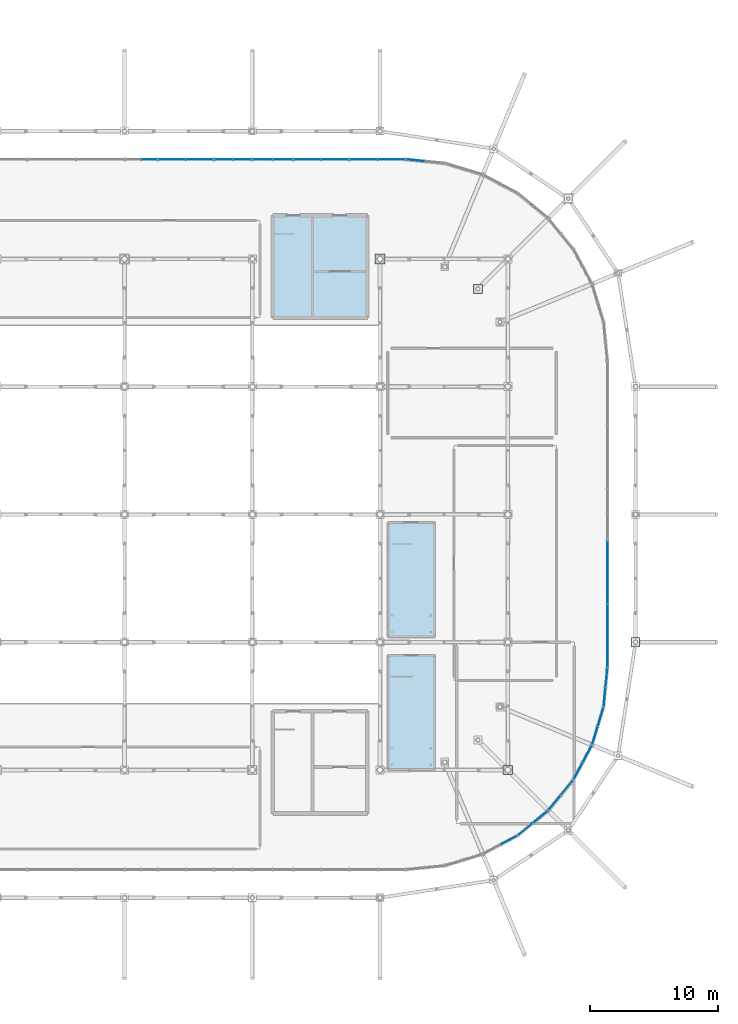
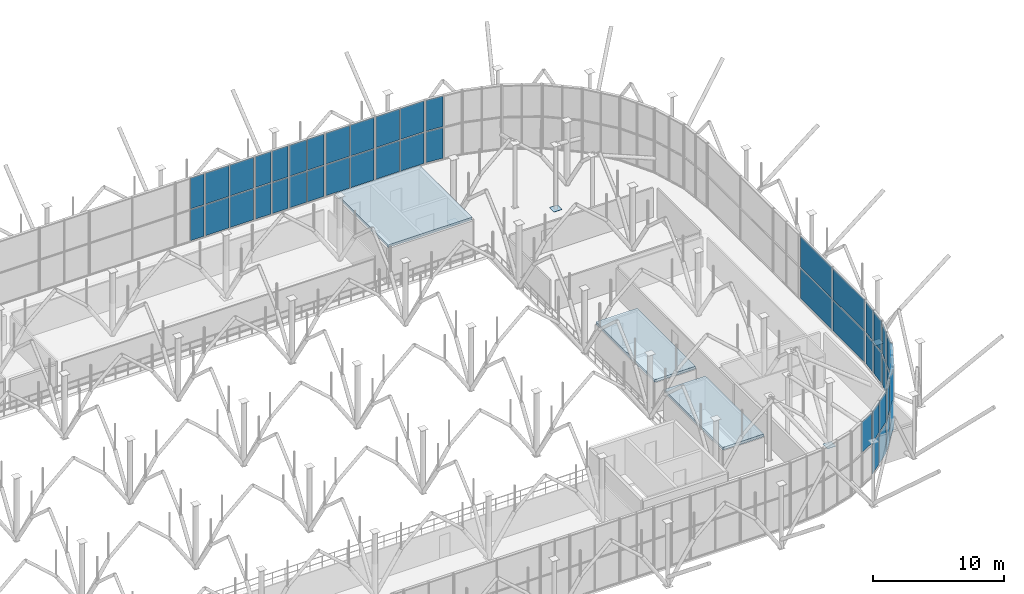
# One storey, part 90 of 109: 53 plates, 3 slabs, 14 elements without a shape of their own.
"""IFC4 building model written with IfcOpenShell, lengths in metres."""

from ifc_helpers import new_model, si_unit, derived_unit, direction, frame, origin, origin_2d_with_axis, place, context, subcontext, project, spatial, polyline, rectangle, outline, extrude, material, layer, layer_set, type_object, element, aggregate, save


model = new_model("IFC4")

# Units and contexts
model_context = context("Model", 3, precision=1e-05, world=origin(), true_north=direction((0.0, 1.0)))
body_context = subcontext(model_context, "Body", "Model", "MODEL_VIEW")
ifc_project = project(units=[si_unit("LENGTHUNIT", "METRE"), si_unit("AREAUNIT", "SQUARE_METRE"), si_unit("VOLUMEUNIT", "CUBIC_METRE"), si_unit("PLANEANGLEUNIT", "RADIAN"), si_unit("MASSUNIT", "GRAM", prefix="KILO"), derived_unit("THERMALTRANSMITTANCEUNIT", [(si_unit("POWERUNIT", "WATT"), 1), (si_unit("LENGTHUNIT", "METRE"), -2), (si_unit("THERMODYNAMICTEMPERATUREUNIT", "KELVIN"), -1)])], contexts=[model_context])

# Site, building, storey
site_placement = place(None, origin())
site = spatial("IfcSite", under=ifc_project, at=site_placement, CompositionType="ELEMENT")
building_placement = place(site_placement, origin())
building = spatial("IfcBuilding", under=site, at=building_placement, Name="Cinnabar Yard Market Hall", CompositionType="ELEMENT")
storey_placement = place(building_placement, frame((0.0, 0.0, 8.39990234375)))
storey = spatial("IfcBuildingStorey", under=building, at=storey_placement, Name="L02", CompositionType="ELEMENT", Elevation=8.39990234375)

# Curtain wall, plates
ifc_material_1 = material(Name="Anodised bronze aluminium and low-E glass", Category="aluminium")
curtain_wall_type_1 = type_object("IfcCurtainWallType", Name="CW-CWH026x60", PredefinedType="NOTDEFINED", material=ifc_material_1)
curtain_wall_1_placement = place(storey_placement, origin())
curtain_wall_1 = element("IfcCurtainWall", 1, at=curtain_wall_1_placement, inside=storey, type_object=curtain_wall_type_1, Name="Market Hall North Upper Clerestory B5A", PredefinedType="NOTDEFINED")
ifc_material_2 = material(Name="Low-E laminated glass", Category="glass")
ifc_layer_1 = layer(ifc_material_2, 0.031982421875)
ifc_layer_set_1 = layer_set([ifc_layer_1], Name="Low-E laminated glass")
plate_type_1 = type_object("IfcPlateType", Name="CWP-GP118x287", PredefinedType="CURTAIN_PANEL", material=ifc_layer_set_1)
plate_1_placement = place(storey_placement, frame((127.929931640625, 71.800048828125, 0.080078125), z_axis=(0.0, 0.0, 1.0), x_axis=(-1.0, 0.0, 0.0)))
plate_1 = element("IfcPlate", 2, at=plate_1_placement, type_object=plate_type_1, Name="CWH026x60 panel 1.1", PredefinedType="CURTAIN_PANEL", context=body_context, shape_type="SweptSolid", body=[
    extrude(rectangle(XDim=1.179931640625, YDim=0.031982421875, at=origin_2d_with_axis()), origin(), (0.0, 0.0, 1.0), 2.8701171875),
])
plate_2_placement = place(storey_placement, frame((127.929931640625, 71.800048828125, 3.030029296875), z_axis=(0.0, 0.0, 1.0), x_axis=(-1.0, 0.0, 0.0)))
plate_2 = element("IfcPlate", 3, at=plate_2_placement, type_object=plate_type_1, Name="CWH026x60 panel 1.2", PredefinedType="CURTAIN_PANEL", context=body_context, shape_type="SweptSolid", body=[
    extrude(rectangle(XDim=1.179931640625, YDim=0.031982421875, at=origin_2d_with_axis()), origin(), (0.0, 0.0, 1.0), 2.8701171875),
])
aggregate(curtain_wall_1, [plate_1, plate_2])

curtain_wall_type_2 = type_object("IfcCurtainWallType", Name="CW-CWH030x60", PredefinedType="NOTDEFINED", material=ifc_material_1)
curtain_wall_2_placement = place(storey_placement, origin())
curtain_wall_2 = element("IfcCurtainWall", 4, at=curtain_wall_2_placement, inside=storey, type_object=curtain_wall_type_2, Name="Market Hall North Upper Clerestory B5B", PredefinedType="NOTDEFINED")
ifc_layer_2 = layer(ifc_material_2, 0.031982421875)
ifc_layer_set_2 = layer_set([ifc_layer_2], Name="Low-E laminated glass")
plate_type_2 = type_object("IfcPlateType", Name="CWP-GP138x287", PredefinedType="CURTAIN_PANEL", material=ifc_layer_set_2)
plate_3_placement = place(storey_placement, frame((135.22998046875, 71.800048828125, 0.080078125), z_axis=(0.0, 0.0, 1.0), x_axis=(-1.0, 0.0, 0.0)))
plate_3 = element("IfcPlate", 5, at=plate_3_placement, type_object=plate_type_2, Name="CWH030x60 panel 1.1", PredefinedType="CURTAIN_PANEL", context=body_context, shape_type="SweptSolid", body=[
    extrude(rectangle(XDim=1.3798828125, YDim=0.031982421875, at=origin_2d_with_axis()), origin(), (0.0, 0.0, 1.0), 2.8701171875),
])
plate_4_placement = place(storey_placement, frame((135.22998046875, 71.800048828125, 3.030029296875), z_axis=(0.0, 0.0, 1.0), x_axis=(-1.0, 0.0, 0.0)))
plate_4 = element("IfcPlate", 6, at=plate_4_placement, type_object=plate_type_2, Name="CWH030x60 panel 1.2", PredefinedType="CURTAIN_PANEL", context=body_context, shape_type="SweptSolid", body=[
    extrude(rectangle(XDim=1.3798828125, YDim=0.031982421875, at=origin_2d_with_axis()), origin(), (0.0, 0.0, 1.0), 2.8701171875),
])
plate_5_placement = place(storey_placement, frame((133.77001953125, 71.800048828125, 0.080078125), z_axis=(0.0, 0.0, 1.0), x_axis=(-1.0, 0.0, 0.0)))
plate_5 = element("IfcPlate", 7, at=plate_5_placement, type_object=plate_type_2, Name="CWH030x60 panel 2.1", PredefinedType="CURTAIN_PANEL", context=body_context, shape_type="SweptSolid", body=[
    extrude(rectangle(XDim=1.3798828125, YDim=0.031982421875, at=origin_2d_with_axis()), origin(), (0.0, 0.0, 1.0), 2.8701171875),
])
plate_6_placement = place(storey_placement, frame((133.77001953125, 71.800048828125, 3.030029296875), z_axis=(0.0, 0.0, 1.0), x_axis=(-1.0, 0.0, 0.0)))
plate_6 = element("IfcPlate", 8, at=plate_6_placement, type_object=plate_type_2, Name="CWH030x60 panel 2.2", PredefinedType="CURTAIN_PANEL", context=body_context, shape_type="SweptSolid", body=[
    extrude(rectangle(XDim=1.3798828125, YDim=0.031982421875, at=origin_2d_with_axis()), origin(), (0.0, 0.0, 1.0), 2.8701171875),
])
aggregate(curtain_wall_2, [plate_3, plate_4, plate_5, plate_6])

# Curtain wall, plate
ifc_material_3 = material(Name="Anodised bronze aluminium curved-chord facade", Category="aluminium")
curtain_wall_type_3 = type_object("IfcCurtainWallType", Name="CW-CWC031x60", PredefinedType="NOTDEFINED", material=ifc_material_3)
curtain_wall_3_placement = place(storey_placement, origin())
curtain_wall_3 = element("IfcCurtainWall", 9, at=curtain_wall_3_placement, inside=storey, type_object=curtain_wall_type_3, Name="Corner SE Chord 3 L02", PredefinedType="NOTDEFINED")
ifc_layer_3 = layer(ifc_material_2, 0.031982421875)
ifc_layer_set_3 = layer_set([ifc_layer_3], Name="Low-E laminated glass")
plate_type_3 = type_object("IfcPlateType", Name="CWP-GP141x286", PredefinedType="CURTAIN_PANEL", material=ifc_layer_set_3)
plate_7_placement = place(storey_placement, frame((156.0751953125, 18.487060546875, 3.03515625), z_axis=(0.0, 0.0, 1.0), x_axis=(0.881917320707, 0.471404114786, 0.0)))
plate_7 = element("IfcPlate", 10, at=plate_7_placement, type_object=plate_type_3, Name="CWC031x60 panel 2.2", PredefinedType="CURTAIN_PANEL", context=body_context, shape_type="SweptSolid", body=[
    extrude(rectangle(XDim=1.41357421875, YDim=0.031982421875, at=origin_2d_with_axis()), origin(), (0.0, 0.0, 1.0), 2.85498046875),
])
aggregate(curtain_wall_3, [plate_7])

# Curtain wall, plates
curtain_wall_4_placement = place(storey_placement, origin())
curtain_wall_4 = element("IfcCurtainWall", 11, at=curtain_wall_4_placement, inside=storey, type_object=curtain_wall_type_3, Name="Corner SE Chord 4 L02", PredefinedType="NOTDEFINED")
plate_8_placement = place(storey_placement, frame((157.39404296875, 19.368408203125, 0.090087890625), z_axis=(0.0, 0.0, 1.0), x_axis=(0.773018564222, 0.634383400924, 0.0)))
plate_8 = element("IfcPlate", 12, at=plate_8_placement, type_object=plate_type_3, Name="CWC031x60 panel 1.1", PredefinedType="CURTAIN_PANEL", context=body_context, shape_type="SweptSolid", body=[
    extrude(rectangle(XDim=1.41357421875, YDim=0.031982421875, at=origin_2d_with_axis()), origin(), (0.0, 0.0, 1.0), 2.85498046875),
])
plate_9_placement = place(storey_placement, frame((157.39404296875, 19.368408203125, 3.03515625), z_axis=(0.0, 0.0, 1.0), x_axis=(0.773018564222, 0.634383400924, 0.0)))
plate_9 = element("IfcPlate", 13, at=plate_9_placement, type_object=plate_type_3, Name="CWC031x60 panel 1.2", PredefinedType="CURTAIN_PANEL", context=body_context, shape_type="SweptSolid", body=[
    extrude(rectangle(XDim=1.41357421875, YDim=0.031982421875, at=origin_2d_with_axis()), origin(), (0.0, 0.0, 1.0), 2.85498046875),
])
plate_10_placement = place(storey_placement, frame((158.556396484375, 20.322265625, 0.090087890625), z_axis=(0.0, 0.0, 1.0), x_axis=(0.773018564222, 0.634383400924, 0.0)))
plate_10 = element("IfcPlate", 14, at=plate_10_placement, type_object=plate_type_3, Name="CWC031x60 panel 2.1", PredefinedType="CURTAIN_PANEL", context=body_context, shape_type="SweptSolid", body=[
    extrude(rectangle(XDim=1.41357421875, YDim=0.031982421875, at=origin_2d_with_axis()), origin(), (0.0, 0.0, 1.0), 2.85498046875),
])
plate_11_placement = place(storey_placement, frame((158.556396484375, 20.322265625, 3.03515625), z_axis=(0.0, 0.0, 1.0), x_axis=(0.773018564222, 0.634383400924, 0.0)))
plate_11 = element("IfcPlate", 15, at=plate_11_placement, type_object=plate_type_3, Name="CWC031x60 panel 2.2", PredefinedType="CURTAIN_PANEL", context=body_context, shape_type="SweptSolid", body=[
    extrude(rectangle(XDim=1.41357421875, YDim=0.031982421875, at=origin_2d_with_axis()), origin(), (0.0, 0.0, 1.0), 2.85498046875),
])
aggregate(curtain_wall_4, [plate_8, plate_9, plate_10, plate_11])

curtain_wall_5_placement = place(storey_placement, origin())
curtain_wall_5 = element("IfcCurtainWall", 16, at=curtain_wall_5_placement, inside=storey, type_object=curtain_wall_type_3, Name="Corner SE Chord 5 L02", PredefinedType="NOTDEFINED")
plate_12_placement = place(storey_placement, frame((159.677734375, 21.443603515625, 0.090087890625), z_axis=(0.0, 0.0, 1.0), x_axis=(0.634383400924, 0.773018564222, 0.0)))
plate_12 = element("IfcPlate", 17, at=plate_12_placement, type_object=plate_type_3, Name="CWC031x60 panel 1.1", PredefinedType="CURTAIN_PANEL", context=body_context, shape_type="SweptSolid", body=[
    extrude(rectangle(XDim=1.41357421875, YDim=0.031982421875, at=origin_2d_with_axis()), origin(), (0.0, 0.0, 1.0), 2.85498046875),
])
plate_13_placement = place(storey_placement, frame((159.677734375, 21.443603515625, 3.03515625), z_axis=(0.0, 0.0, 1.0), x_axis=(0.634383400924, 0.773018564222, 0.0)))
plate_13 = element("IfcPlate", 18, at=plate_13_placement, type_object=plate_type_3, Name="CWC031x60 panel 1.2", PredefinedType="CURTAIN_PANEL", context=body_context, shape_type="SweptSolid", body=[
    extrude(rectangle(XDim=1.41357421875, YDim=0.031982421875, at=origin_2d_with_axis()), origin(), (0.0, 0.0, 1.0), 2.85498046875),
])
plate_14_placement = place(storey_placement, frame((160.631591796875, 22.60595703125, 0.090087890625), z_axis=(0.0, 0.0, 1.0), x_axis=(0.634383400924, 0.773018564222, 0.0)))
plate_14 = element("IfcPlate", 19, at=plate_14_placement, type_object=plate_type_3, Name="CWC031x60 panel 2.1", PredefinedType="CURTAIN_PANEL", context=body_context, shape_type="SweptSolid", body=[
    extrude(rectangle(XDim=1.41357421875, YDim=0.031982421875, at=origin_2d_with_axis()), origin(), (0.0, 0.0, 1.0), 2.85498046875),
])
plate_15_placement = place(storey_placement, frame((160.631591796875, 22.60595703125, 3.03515625), z_axis=(0.0, 0.0, 1.0), x_axis=(0.634383400924, 0.773018564222, 0.0)))
plate_15 = element("IfcPlate", 20, at=plate_15_placement, type_object=plate_type_3, Name="CWC031x60 panel 2.2", PredefinedType="CURTAIN_PANEL", context=body_context, shape_type="SweptSolid", body=[
    extrude(rectangle(XDim=1.41357421875, YDim=0.031982421875, at=origin_2d_with_axis()), origin(), (0.0, 0.0, 1.0), 2.85498046875),
])
aggregate(curtain_wall_5, [plate_12, plate_13, plate_14, plate_15])

curtain_wall_6_placement = place(storey_placement, origin())
curtain_wall_6 = element("IfcCurtainWall", 21, at=curtain_wall_6_placement, inside=storey, type_object=curtain_wall_type_3, Name="Corner SE Chord 6 L02", PredefinedType="NOTDEFINED")
plate_16_placement = place(storey_placement, frame((161.512939453125, 23.9248046875, 0.090087890625), z_axis=(0.0, 0.0, 1.0), x_axis=(0.471404114786, 0.881917320707, 0.0)))
plate_16 = element("IfcPlate", 22, at=plate_16_placement, type_object=plate_type_3, Name="CWC031x60 panel 1.1", PredefinedType="CURTAIN_PANEL", context=body_context, shape_type="SweptSolid", body=[
    extrude(rectangle(XDim=1.41357421875, YDim=0.031982421875, at=origin_2d_with_axis()), origin(), (0.0, 0.0, 1.0), 2.85498046875),
])
plate_17_placement = place(storey_placement, frame((161.512939453125, 23.9248046875, 3.03515625), z_axis=(0.0, 0.0, 1.0), x_axis=(0.471404114786, 0.881917320707, 0.0)))
plate_17 = element("IfcPlate", 23, at=plate_17_placement, type_object=plate_type_3, Name="CWC031x60 panel 1.2", PredefinedType="CURTAIN_PANEL", context=body_context, shape_type="SweptSolid", body=[
    extrude(rectangle(XDim=1.41357421875, YDim=0.031982421875, at=origin_2d_with_axis()), origin(), (0.0, 0.0, 1.0), 2.85498046875),
])
plate_18_placement = place(storey_placement, frame((162.2216796875, 25.2509765625, 0.090087890625), z_axis=(0.0, 0.0, 1.0), x_axis=(0.471404114786, 0.881917320707, 0.0)))
plate_18 = element("IfcPlate", 24, at=plate_18_placement, type_object=plate_type_3, Name="CWC031x60 panel 2.1", PredefinedType="CURTAIN_PANEL", context=body_context, shape_type="SweptSolid", body=[
    extrude(rectangle(XDim=1.41357421875, YDim=0.031982421875, at=origin_2d_with_axis()), origin(), (0.0, 0.0, 1.0), 2.85498046875),
])
plate_19_placement = place(storey_placement, frame((162.2216796875, 25.2509765625, 3.03515625), z_axis=(0.0, 0.0, 1.0), x_axis=(0.471404114786, 0.881917320707, 0.0)))
plate_19 = element("IfcPlate", 25, at=plate_19_placement, type_object=plate_type_3, Name="CWC031x60 panel 2.2", PredefinedType="CURTAIN_PANEL", context=body_context, shape_type="SweptSolid", body=[
    extrude(rectangle(XDim=1.41357421875, YDim=0.031982421875, at=origin_2d_with_axis()), origin(), (0.0, 0.0, 1.0), 2.85498046875),
])
aggregate(curtain_wall_6, [plate_16, plate_17, plate_18, plate_19])

curtain_wall_7_placement = place(storey_placement, origin())
curtain_wall_7 = element("IfcCurtainWall", 26, at=curtain_wall_7_placement, inside=storey, type_object=curtain_wall_type_3, Name="Corner SE Chord 7 L02", PredefinedType="NOTDEFINED")
plate_20_placement = place(storey_placement, frame((162.82861328125, 26.716064453125, 0.090087890625), z_axis=(0.0, 0.0, 1.0), x_axis=(0.290278891325, 0.956942090856, 0.0)))
plate_20 = element("IfcPlate", 27, at=plate_20_placement, type_object=plate_type_3, Name="CWC031x60 panel 1.1", PredefinedType="CURTAIN_PANEL", context=body_context, shape_type="SweptSolid", body=[
    extrude(rectangle(XDim=1.41357421875, YDim=0.031982421875, at=origin_2d_with_axis()), origin(), (0.0, 0.0, 1.0), 2.85498046875),
])
plate_21_placement = place(storey_placement, frame((162.82861328125, 26.716064453125, 3.03515625), z_axis=(0.0, 0.0, 1.0), x_axis=(0.290278891325, 0.956942090856, 0.0)))
plate_21 = element("IfcPlate", 28, at=plate_21_placement, type_object=plate_type_3, Name="CWC031x60 panel 1.2", PredefinedType="CURTAIN_PANEL", context=body_context, shape_type="SweptSolid", body=[
    extrude(rectangle(XDim=1.41357421875, YDim=0.031982421875, at=origin_2d_with_axis()), origin(), (0.0, 0.0, 1.0), 2.85498046875),
])
plate_22_placement = place(storey_placement, frame((163.26513671875, 28.155029296875, 0.090087890625), z_axis=(0.0, 0.0, 1.0), x_axis=(0.290278891325, 0.956942090856, 0.0)))
plate_22 = element("IfcPlate", 29, at=plate_22_placement, type_object=plate_type_3, Name="CWC031x60 panel 2.1", PredefinedType="CURTAIN_PANEL", context=body_context, shape_type="SweptSolid", body=[
    extrude(rectangle(XDim=1.41357421875, YDim=0.031982421875, at=origin_2d_with_axis()), origin(), (0.0, 0.0, 1.0), 2.85498046875),
])
plate_23_placement = place(storey_placement, frame((163.26513671875, 28.155029296875, 3.03515625), z_axis=(0.0, 0.0, 1.0), x_axis=(0.290278891325, 0.956942090856, 0.0)))
plate_23 = element("IfcPlate", 30, at=plate_23_placement, type_object=plate_type_3, Name="CWC031x60 panel 2.2", PredefinedType="CURTAIN_PANEL", context=body_context, shape_type="SweptSolid", body=[
    extrude(rectangle(XDim=1.41357421875, YDim=0.031982421875, at=origin_2d_with_axis()), origin(), (0.0, 0.0, 1.0), 2.85498046875),
])
aggregate(curtain_wall_7, [plate_20, plate_21, plate_22, plate_23])

curtain_wall_8_placement = place(storey_placement, origin())
curtain_wall_8 = element("IfcCurtainWall", 31, at=curtain_wall_8_placement, inside=storey, type_object=curtain_wall_type_3, Name="Corner SE Chord 8 L02", PredefinedType="NOTDEFINED")
plate_24_placement = place(storey_placement, frame((163.574462890625, 29.710693359375, 0.090087890625), z_axis=(0.0, 0.0, 1.0), x_axis=(0.098020369342, 0.995184408637, 0.0)))
plate_24 = element("IfcPlate", 32, at=plate_24_placement, type_object=plate_type_3, Name="CWC031x60 panel 1.1", PredefinedType="CURTAIN_PANEL", context=body_context, shape_type="SweptSolid", body=[
    extrude(rectangle(XDim=1.41357421875, YDim=0.031982421875, at=origin_2d_with_axis()), origin(), (0.0, 0.0, 1.0), 2.85498046875),
])
plate_25_placement = place(storey_placement, frame((163.574462890625, 29.710693359375, 3.03515625), z_axis=(0.0, 0.0, 1.0), x_axis=(0.098020369342, 0.995184408637, 0.0)))
plate_25 = element("IfcPlate", 33, at=plate_25_placement, type_object=plate_type_3, Name="CWC031x60 panel 1.2", PredefinedType="CURTAIN_PANEL", context=body_context, shape_type="SweptSolid", body=[
    extrude(rectangle(XDim=1.41357421875, YDim=0.031982421875, at=origin_2d_with_axis()), origin(), (0.0, 0.0, 1.0), 2.85498046875),
])
plate_26_placement = place(storey_placement, frame((163.721923828125, 31.20703125, 0.090087890625), z_axis=(0.0, 0.0, 1.0), x_axis=(0.098020369342, 0.995184408637, 0.0)))
plate_26 = element("IfcPlate", 34, at=plate_26_placement, type_object=plate_type_3, Name="CWC031x60 panel 2.1", PredefinedType="CURTAIN_PANEL", context=body_context, shape_type="SweptSolid", body=[
    extrude(rectangle(XDim=1.41357421875, YDim=0.031982421875, at=origin_2d_with_axis()), origin(), (0.0, 0.0, 1.0), 2.85498046875),
])
plate_27_placement = place(storey_placement, frame((163.721923828125, 31.20703125, 3.03515625), z_axis=(0.0, 0.0, 1.0), x_axis=(0.098020369342, 0.995184408637, 0.0)))
plate_27 = element("IfcPlate", 35, at=plate_27_placement, type_object=plate_type_3, Name="CWC031x60 panel 2.2", PredefinedType="CURTAIN_PANEL", context=body_context, shape_type="SweptSolid", body=[
    extrude(rectangle(XDim=1.41357421875, YDim=0.031982421875, at=origin_2d_with_axis()), origin(), (0.0, 0.0, 1.0), 2.85498046875),
])
aggregate(curtain_wall_8, [plate_24, plate_25, plate_26, plate_27])

curtain_wall_9_placement = place(storey_placement, origin())
curtain_wall_9 = element("IfcCurtainWall", 36, at=curtain_wall_9_placement, inside=storey, type_object=curtain_wall_type_3, Name="Corner NE Chord 8 L02", PredefinedType="NOTDEFINED")
plate_28_placement = place(storey_placement, frame((148.79296875, 71.721923828125, 0.090087890625), z_axis=(0.0, 0.0, 1.0), x_axis=(-0.995184408637, 0.098020369342, 0.0)))
plate_28 = element("IfcPlate", 37, at=plate_28_placement, type_object=plate_type_3, Name="CWC031x60 panel 2.1", PredefinedType="CURTAIN_PANEL", context=body_context, shape_type="SweptSolid", body=[
    extrude(rectangle(XDim=1.41357421875, YDim=0.031982421875, at=origin_2d_with_axis()), origin(), (0.0, 0.0, 1.0), 2.85498046875),
])
plate_29_placement = place(storey_placement, frame((148.79296875, 71.721923828125, 3.03515625), z_axis=(0.0, 0.0, 1.0), x_axis=(-0.995184408637, 0.098020369342, 0.0)))
plate_29 = element("IfcPlate", 38, at=plate_29_placement, type_object=plate_type_3, Name="CWC031x60 panel 2.2", PredefinedType="CURTAIN_PANEL", context=body_context, shape_type="SweptSolid", body=[
    extrude(rectangle(XDim=1.41357421875, YDim=0.031982421875, at=origin_2d_with_axis()), origin(), (0.0, 0.0, 1.0), 2.85498046875),
])
aggregate(curtain_wall_9, [plate_28, plate_29])

curtain_wall_type_4 = type_object("IfcCurtainWallType", Name="CW-CWH032x60", PredefinedType="NOTDEFINED", material=ifc_material_1)
curtain_wall_10_placement = place(storey_placement, origin())
curtain_wall_10 = element("IfcCurtainWall", 39, at=curtain_wall_10_placement, inside=storey, type_object=curtain_wall_type_4, Name="Market Hall North Upper Clerestory B6A", PredefinedType="NOTDEFINED")
ifc_layer_4 = layer(ifc_material_2, 0.031982421875)
ifc_layer_set_4 = layer_set([ifc_layer_4], Name="Low-E laminated glass")
plate_type_4 = type_object("IfcPlateType", Name="CWP-GP148x287", PredefinedType="CURTAIN_PANEL", material=ifc_layer_set_4)
plate_30_placement = place(storey_placement, frame((138.3798828125, 71.800048828125, 0.080078125), z_axis=(0.0, 0.0, 1.0), x_axis=(-1.0, 0.0, 0.0)))
plate_30 = element("IfcPlate", 40, at=plate_30_placement, type_object=plate_type_4, Name="CWH032x60 panel 1.1", PredefinedType="CURTAIN_PANEL", context=body_context, shape_type="SweptSolid", body=[
    extrude(rectangle(XDim=1.47998046875, YDim=0.031982421875, at=origin_2d_with_axis()), origin(), (0.0, 0.0, 1.0), 2.8701171875),
])
plate_31_placement = place(storey_placement, frame((138.3798828125, 71.800048828125, 3.030029296875), z_axis=(0.0, 0.0, 1.0), x_axis=(-1.0, 0.0, 0.0)))
plate_31 = element("IfcPlate", 41, at=plate_31_placement, type_object=plate_type_4, Name="CWH032x60 panel 1.2", PredefinedType="CURTAIN_PANEL", context=body_context, shape_type="SweptSolid", body=[
    extrude(rectangle(XDim=1.47998046875, YDim=0.031982421875, at=origin_2d_with_axis()), origin(), (0.0, 0.0, 1.0), 2.8701171875),
])
plate_32_placement = place(storey_placement, frame((136.820068359375, 71.800048828125, 0.080078125), z_axis=(0.0, 0.0, 1.0), x_axis=(-1.0, 0.0, 0.0)))
plate_32 = element("IfcPlate", 42, at=plate_32_placement, type_object=plate_type_4, Name="CWH032x60 panel 2.1", PredefinedType="CURTAIN_PANEL", context=body_context, shape_type="SweptSolid", body=[
    extrude(rectangle(XDim=1.47998046875, YDim=0.031982421875, at=origin_2d_with_axis()), origin(), (0.0, 0.0, 1.0), 2.8701171875),
])
plate_33_placement = place(storey_placement, frame((136.820068359375, 71.800048828125, 3.030029296875), z_axis=(0.0, 0.0, 1.0), x_axis=(-1.0, 0.0, 0.0)))
plate_33 = element("IfcPlate", 43, at=plate_33_placement, type_object=plate_type_4, Name="CWH032x60 panel 2.2", PredefinedType="CURTAIN_PANEL", context=body_context, shape_type="SweptSolid", body=[
    extrude(rectangle(XDim=1.47998046875, YDim=0.031982421875, at=origin_2d_with_axis()), origin(), (0.0, 0.0, 1.0), 2.8701171875),
])
aggregate(curtain_wall_10, [plate_30, plate_31, plate_32, plate_33])

curtain_wall_type_5 = type_object("IfcCurtainWallType", Name="CW-CWH044x60", PredefinedType="NOTDEFINED", material=ifc_material_1)
curtain_wall_11_placement = place(storey_placement, origin())
curtain_wall_11 = element("IfcCurtainWall", 44, at=curtain_wall_11_placement, inside=storey, type_object=curtain_wall_type_5, Name="Market Hall North Upper Clerestory PTB5", PredefinedType="NOTDEFINED")
ifc_layer_5 = layer(ifc_material_2, 0.031982421875)
ifc_layer_set_5 = layer_set([ifc_layer_5], Name="Low-E laminated glass")
plate_type_5 = type_object("IfcPlateType", Name="CWP-GP208x287", PredefinedType="CURTAIN_PANEL", material=ifc_layer_set_5)
plate_34_placement = place(storey_placement, frame((131.8798828125, 71.800048828125, 0.080078125), z_axis=(0.0, 0.0, 1.0), x_axis=(-1.0, 0.0, 0.0)))
plate_34 = element("IfcPlate", 45, at=plate_34_placement, type_object=plate_type_5, Name="CWH044x60 panel 1.1", PredefinedType="CURTAIN_PANEL", context=body_context, shape_type="SweptSolid", body=[
    extrude(rectangle(XDim=2.080078125, YDim=0.031982421875, at=origin_2d_with_axis()), origin(), (0.0, 0.0, 1.0), 2.8701171875),
])
plate_35_placement = place(storey_placement, frame((131.8798828125, 71.800048828125, 3.030029296875), z_axis=(0.0, 0.0, 1.0), x_axis=(-1.0, 0.0, 0.0)))
plate_35 = element("IfcPlate", 46, at=plate_35_placement, type_object=plate_type_5, Name="CWH044x60 panel 1.2", PredefinedType="CURTAIN_PANEL", context=body_context, shape_type="SweptSolid", body=[
    extrude(rectangle(XDim=2.080078125, YDim=0.031982421875, at=origin_2d_with_axis()), origin(), (0.0, 0.0, 1.0), 2.8701171875),
])
plate_36_placement = place(storey_placement, frame((129.719970703125, 71.800048828125, 0.080078125), z_axis=(0.0, 0.0, 1.0), x_axis=(-1.0, 0.0, 0.0)))
plate_36 = element("IfcPlate", 47, at=plate_36_placement, type_object=plate_type_5, Name="CWH044x60 panel 2.1", PredefinedType="CURTAIN_PANEL", context=body_context, shape_type="SweptSolid", body=[
    extrude(rectangle(XDim=2.080078125, YDim=0.031982421875, at=origin_2d_with_axis()), origin(), (0.0, 0.0, 1.0), 2.8701171875),
])
plate_37_placement = place(storey_placement, frame((129.719970703125, 71.800048828125, 3.030029296875), z_axis=(0.0, 0.0, 1.0), x_axis=(-1.0, 0.0, 0.0)))
plate_37 = element("IfcPlate", 48, at=plate_37_placement, type_object=plate_type_5, Name="CWH044x60 panel 2.2", PredefinedType="CURTAIN_PANEL", context=body_context, shape_type="SweptSolid", body=[
    extrude(rectangle(XDim=2.080078125, YDim=0.031982421875, at=origin_2d_with_axis()), origin(), (0.0, 0.0, 1.0), 2.8701171875),
])
aggregate(curtain_wall_11, [plate_34, plate_35, plate_36, plate_37])

curtain_wall_12_placement = place(storey_placement, origin())
curtain_wall_12 = element("IfcCurtainWall", 49, at=curtain_wall_12_placement, inside=storey, type_object=curtain_wall_type_5, Name="Market Hall North Upper Clerestory PTE", PredefinedType="NOTDEFINED")
plate_38_placement = place(storey_placement, frame((142.47998046875, 71.800048828125, 0.080078125), z_axis=(0.0, 0.0, 1.0), x_axis=(-1.0, 0.0, 0.0)))
plate_38 = element("IfcPlate", 50, at=plate_38_placement, type_object=plate_type_5, Name="CWH044x60 panel 1.1", PredefinedType="CURTAIN_PANEL", context=body_context, shape_type="SweptSolid", body=[
    extrude(rectangle(XDim=2.080078125, YDim=0.031982421875, at=origin_2d_with_axis()), origin(), (0.0, 0.0, 1.0), 2.8701171875),
])
plate_39_placement = place(storey_placement, frame((142.47998046875, 71.800048828125, 3.030029296875), z_axis=(0.0, 0.0, 1.0), x_axis=(-1.0, 0.0, 0.0)))
plate_39 = element("IfcPlate", 51, at=plate_39_placement, type_object=plate_type_5, Name="CWH044x60 panel 1.2", PredefinedType="CURTAIN_PANEL", context=body_context, shape_type="SweptSolid", body=[
    extrude(rectangle(XDim=2.080078125, YDim=0.031982421875, at=origin_2d_with_axis()), origin(), (0.0, 0.0, 1.0), 2.8701171875),
])
plate_40_placement = place(storey_placement, frame((140.320068359375, 71.800048828125, 0.080078125), z_axis=(0.0, 0.0, 1.0), x_axis=(-1.0, 0.0, 0.0)))
plate_40 = element("IfcPlate", 52, at=plate_40_placement, type_object=plate_type_5, Name="CWH044x60 panel 2.1", PredefinedType="CURTAIN_PANEL", context=body_context, shape_type="SweptSolid", body=[
    extrude(rectangle(XDim=2.080078125, YDim=0.031982421875, at=origin_2d_with_axis()), origin(), (0.0, 0.0, 1.0), 2.8701171875),
])
plate_41_placement = place(storey_placement, frame((140.320068359375, 71.800048828125, 3.030029296875), z_axis=(0.0, 0.0, 1.0), x_axis=(-1.0, 0.0, 0.0)))
plate_41 = element("IfcPlate", 53, at=plate_41_placement, type_object=plate_type_5, Name="CWH044x60 panel 2.2", PredefinedType="CURTAIN_PANEL", context=body_context, shape_type="SweptSolid", body=[
    extrude(rectangle(XDim=2.080078125, YDim=0.031982421875, at=origin_2d_with_axis()), origin(), (0.0, 0.0, 1.0), 2.8701171875),
])
aggregate(curtain_wall_12, [plate_38, plate_39, plate_40, plate_41])

curtain_wall_13_placement = place(storey_placement, origin())
curtain_wall_13 = element("IfcCurtainWall", 54, at=curtain_wall_13_placement, inside=storey, type_object=curtain_wall_type_5, Name="Market Hall North Upper Clerestory B6B", PredefinedType="NOTDEFINED")
plate_42_placement = place(storey_placement, frame((146.8798828125, 71.800048828125, 0.080078125), z_axis=(0.0, 0.0, 1.0), x_axis=(-1.0, 0.0, 0.0)))
plate_42 = element("IfcPlate", 55, at=plate_42_placement, type_object=plate_type_5, Name="CWH044x60 panel 1.1", PredefinedType="CURTAIN_PANEL", context=body_context, shape_type="SweptSolid", body=[
    extrude(rectangle(XDim=2.080078125, YDim=0.031982421875, at=origin_2d_with_axis()), origin(), (0.0, 0.0, 1.0), 2.8701171875),
])
plate_43_placement = place(storey_placement, frame((146.8798828125, 71.800048828125, 3.030029296875), z_axis=(0.0, 0.0, 1.0), x_axis=(-1.0, 0.0, 0.0)))
plate_43 = element("IfcPlate", 56, at=plate_43_placement, type_object=plate_type_5, Name="CWH044x60 panel 1.2", PredefinedType="CURTAIN_PANEL", context=body_context, shape_type="SweptSolid", body=[
    extrude(rectangle(XDim=2.080078125, YDim=0.031982421875, at=origin_2d_with_axis()), origin(), (0.0, 0.0, 1.0), 2.8701171875),
])
plate_44_placement = place(storey_placement, frame((144.719970703125, 71.800048828125, 0.080078125), z_axis=(0.0, 0.0, 1.0), x_axis=(-1.0, 0.0, 0.0)))
plate_44 = element("IfcPlate", 57, at=plate_44_placement, type_object=plate_type_5, Name="CWH044x60 panel 2.1", PredefinedType="CURTAIN_PANEL", context=body_context, shape_type="SweptSolid", body=[
    extrude(rectangle(XDim=2.080078125, YDim=0.031982421875, at=origin_2d_with_axis()), origin(), (0.0, 0.0, 1.0), 2.8701171875),
])
plate_45_placement = place(storey_placement, frame((144.719970703125, 71.800048828125, 3.030029296875), z_axis=(0.0, 0.0, 1.0), x_axis=(-1.0, 0.0, 0.0)))
plate_45 = element("IfcPlate", 58, at=plate_45_placement, type_object=plate_type_5, Name="CWH044x60 panel 2.2", PredefinedType="CURTAIN_PANEL", context=body_context, shape_type="SweptSolid", body=[
    extrude(rectangle(XDim=2.080078125, YDim=0.031982421875, at=origin_2d_with_axis()), origin(), (0.0, 0.0, 1.0), 2.8701171875),
])
aggregate(curtain_wall_13, [plate_42, plate_43, plate_44, plate_45])

curtain_wall_type_6 = type_object("IfcCurtainWallType", Name="CW-CWH100x60", PredefinedType="NOTDEFINED", material=ifc_material_1)
curtain_wall_14_placement = place(storey_placement, origin())
curtain_wall_14 = element("IfcCurtainWall", 59, at=curtain_wall_14_placement, inside=storey, type_object=curtain_wall_type_6, Name="Market Hall East Upper Clerestory W1", PredefinedType="NOTDEFINED")
ifc_layer_6 = layer(ifc_material_2, 0.031982421875)
ifc_layer_set_6 = layer_set([ifc_layer_6], Name="Low-E laminated glass")
plate_type_6 = type_object("IfcPlateType", Name="CWP-GP488x287", PredefinedType="CURTAIN_PANEL", material=ifc_layer_set_6)
plate_46_placement = place(storey_placement, frame((163.800048828125, 34.52001953125, 0.080078125), z_axis=(0.0, 0.0, 1.0), x_axis=(0.0, 1.0, 0.0)))
plate_46 = element("IfcPlate", 60, at=plate_46_placement, type_object=plate_type_6, Name="CWH100x60 panel 1.1", PredefinedType="CURTAIN_PANEL", context=body_context, shape_type="SweptSolid", body=[
    extrude(rectangle(XDim=4.8798828125, YDim=0.031982421875, at=origin_2d_with_axis()), origin(), (0.0, 0.0, 1.0), 2.8701171875),
])
plate_47_placement = place(storey_placement, frame((163.800048828125, 34.52001953125, 3.030029296875), z_axis=(0.0, 0.0, 1.0), x_axis=(0.0, 1.0, 0.0)))
plate_47 = element("IfcPlate", 61, at=plate_47_placement, type_object=plate_type_6, Name="CWH100x60 panel 1.2", PredefinedType="CURTAIN_PANEL", context=body_context, shape_type="SweptSolid", body=[
    extrude(rectangle(XDim=4.8798828125, YDim=0.031982421875, at=origin_2d_with_axis()), origin(), (0.0, 0.0, 1.0), 2.8701171875),
])
plate_48_placement = place(storey_placement, frame((163.800048828125, 39.47998046875, 0.080078125), z_axis=(0.0, 0.0, 1.0), x_axis=(0.0, 1.0, 0.0)))
plate_48 = element("IfcPlate", 62, at=plate_48_placement, type_object=plate_type_6, Name="CWH100x60 panel 2.1", PredefinedType="CURTAIN_PANEL", context=body_context, shape_type="SweptSolid", body=[
    extrude(rectangle(XDim=4.8798828125, YDim=0.031982421875, at=origin_2d_with_axis()), origin(), (0.0, 0.0, 1.0), 2.8701171875),
])
plate_49_placement = place(storey_placement, frame((163.800048828125, 39.47998046875, 3.030029296875), z_axis=(0.0, 0.0, 1.0), x_axis=(0.0, 1.0, 0.0)))
plate_49 = element("IfcPlate", 63, at=plate_49_placement, type_object=plate_type_6, Name="CWH100x60 panel 2.2", PredefinedType="CURTAIN_PANEL", context=body_context, shape_type="SweptSolid", body=[
    extrude(rectangle(XDim=4.8798828125, YDim=0.031982421875, at=origin_2d_with_axis()), origin(), (0.0, 0.0, 1.0), 2.8701171875),
])
aggregate(curtain_wall_14, [plate_46, plate_47, plate_48, plate_49])

# Plates
ifc_material_4 = material(Name="Steel Grade 350 (350 MPa)", Category="steel")
ifc_layer_7 = layer(ifc_material_4, 0.028076171875)
ifc_layer_set_7 = layer_set([ifc_layer_7], Name="Steel Grade 350 (350 MPa)")
plate_type_7 = type_object("IfcPlateType", Name="PL-NP01", PredefinedType="SHEET", material=ifc_layer_set_7)
for number, where, z_axis, x_axis, name in (
    (64, (156.0, 24.0, -0.01416015625), (0.0, 0.0, 1.0), (1.0, 0.0, 0.0), "Tree Collar Plate V1I-09-01"),
    (65, (153.656982421875, 61.656982421875, -0.01416015625), (0.0, 0.0, 1.0), (1.0, 0.0, 0.0), "Tree Collar Plate V1IC-NE4"),
):
    element("IfcPlate", number, at=place(storey_placement, frame(where, z_axis=z_axis, x_axis=x_axis)), inside=storey, type_object=plate_type_7, Name=name, PredefinedType="SHEET", context=body_context, shape_type="SweptSolid", body=[
        extrude(rectangle(XDim=0.719970703125, YDim=0.719970703125, at=origin_2d_with_axis()), origin(), (0.0, 0.0, 1.0), 0.028076171875),
    ])
ifc_layer_8 = layer(ifc_material_4, 0.028076171875)
ifc_layer_set_8 = layer_set([ifc_layer_8], Name="Steel Grade 350 (350 MPa)")
plate_type_8 = type_object("IfcPlateType", Name="PL-NP01E", PredefinedType="SHEET", material=ifc_layer_set_8)
plate_50_placement = place(storey_placement, frame((166.0, 34.0, -0.01416015625), z_axis=(0.0, 0.0, 1.0), x_axis=(1.0, 0.0, 0.0)))
element("IfcPlate", 66, at=plate_50_placement, inside=storey, type_object=plate_type_8, Name="Tree Collar Plate V1E-01", PredefinedType="SHEET", context=body_context, shape_type="SweptSolid", body=[
    extrude(rectangle(XDim=0.719970703125, YDim=0.719970703125, at=origin_2d_with_axis()), origin(), (0.0, 0.0, 1.0), 0.028076171875),
])
ifc_layer_9 = layer(ifc_material_4, 0.031982421875)
ifc_layer_set_9 = layer_set([ifc_layer_9], Name="Steel Grade 350 (350 MPa)")
plate_type_9 = type_object("IfcPlateType", Name="PL-NP10", PredefinedType="SHEET", material=ifc_layer_set_9)
plate_51_placement = place(storey_placement, frame((146.0, 64.0, -0.01611328125), z_axis=(0.0, 0.0, 1.0), x_axis=(1.0, 0.0, 0.0)))
element("IfcPlate", 67, at=plate_51_placement, inside=storey, type_object=plate_type_9, Name="Tree Collar Plate V1I-08-05", PredefinedType="SHEET", context=body_context, shape_type="SweptSolid", body=[
    extrude(rectangle(XDim=0.780029296875, YDim=0.780029296875, at=origin_2d_with_axis()), origin(), (0.0, 0.0, 1.0), 0.031982421875),
])

# Slabs
ifc_material_5 = material(Name="Concrete 40 MPa", Category="concrete")
ifc_layer_10 = layer(ifc_material_5, 0.239990234375)
ifc_layer_set_10 = layer_set([ifc_layer_10], Name="Concrete 40 MPa")
slab_type = type_object("IfcSlabType", Name="SL-L03", PredefinedType="FLOOR", material=ifc_layer_set_10)
slab_1_placement = place(storey_placement, frame((0.0, 0.0, 3.360107421875)))
element("IfcSlab", 68, at=slab_1_placement, inside=storey, type_object=slab_type, Name="Core C7 Shaft Cap Slab", PredefinedType="FLOOR", context=body_context, shape_type="SweptSolid", body=[
    extrude(outline(polyline([(137.60009765625, 59.39990234375), (145.0, 59.39990234375), (145.0, 67.39990234375), (137.60009765625, 67.39990234375), (137.60009765625, 59.39990234375)])), origin(), (0.0, 0.0, 1.0), 0.239990234375),
])
slab_2_placement = place(storey_placement, frame((0.0, 0.0, 2.780029296875)))
element("IfcSlab", 69, at=slab_2_placement, inside=storey, type_object=slab_type, Name="Stair ST-F2 Shaft Cap Slab", PredefinedType="FLOOR", context=body_context, shape_type="SweptSolid", body=[
    extrude(outline(polyline([(146.639892578125, 34.43994140625), (150.260009765625, 34.43994140625), (150.260009765625, 43.360107421875), (146.639892578125, 43.360107421875), (146.639892578125, 34.43994140625)])), origin(), (0.0, 0.0, 1.0), 0.239990234375),
])
slab_3_placement = place(storey_placement, frame((0.0, 0.0, 2.780029296875)))
element("IfcSlab", 70, at=slab_3_placement, inside=storey, type_object=slab_type, Name="Stair ST-F5 Shaft Cap Slab", PredefinedType="FLOOR", context=body_context, shape_type="SweptSolid", body=[
    extrude(outline(polyline([(146.639892578125, 24.0400390625), (150.260009765625, 24.0400390625), (150.260009765625, 32.9599609375), (146.639892578125, 32.9599609375), (146.639892578125, 24.0400390625)])), origin(), (0.0, 0.0, 1.0), 0.239990234375),
])

save(model, "model.ifc")
